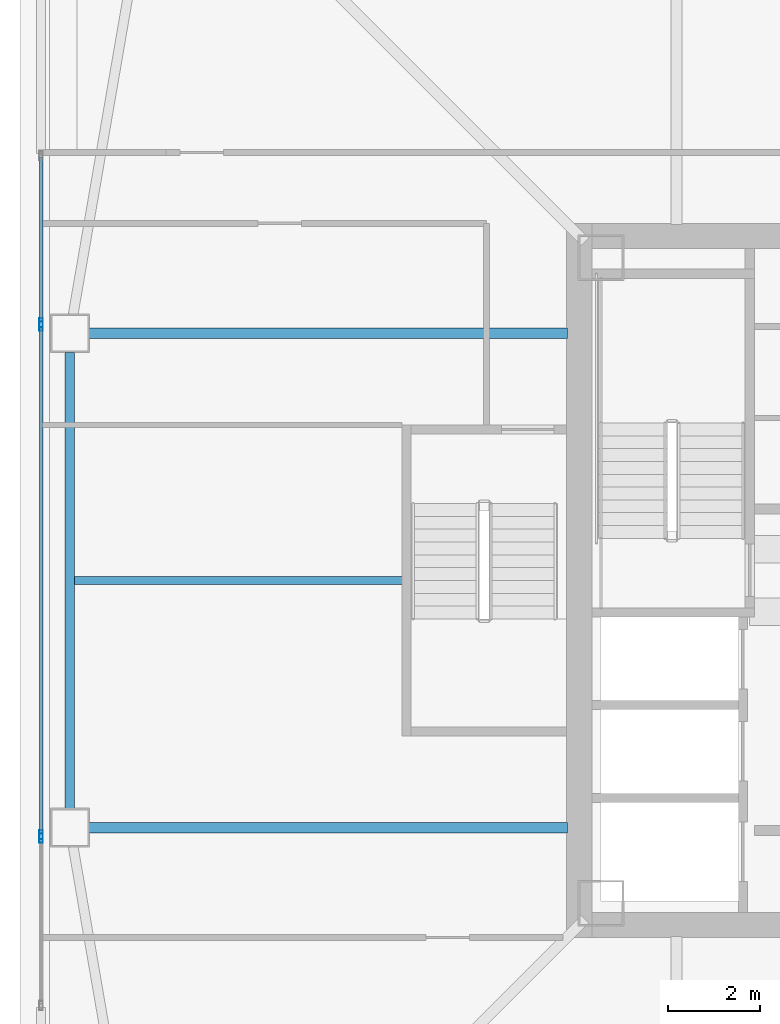
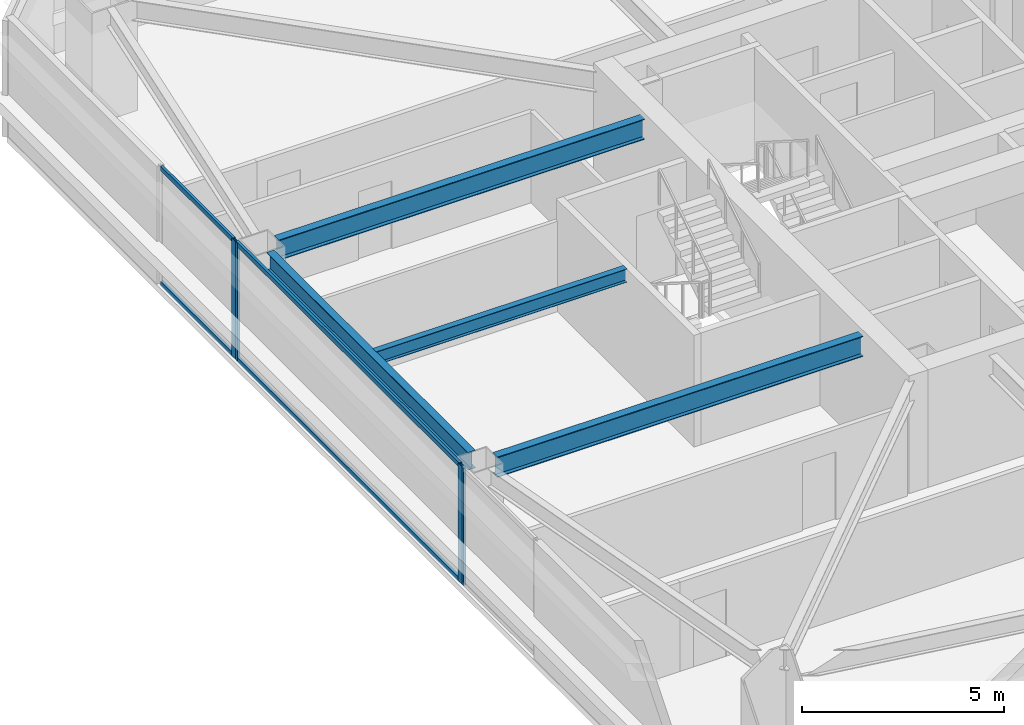
# One storey, part 8 of 40: 8 members, 4 beams, 3 elements without a shape of their own.
"""IFC4 building model written with IfcOpenShell, lengths in metres."""

from ifc_helpers import new_model, si_unit, direction, frame, origin, origin_2d, place, context, subcontext, project, spatial, hollow_rectangle, i_section, extrude, material, material_profile, profile_set, type_object, element, aggregate, save


model = new_model("IFC4")

# Units and contexts
model_context = context("Model", 3, precision=1e-05, world=origin(), true_north=direction((0.0, 1.0)))
body_context = subcontext(model_context, "Body", "Model", "MODEL_VIEW")
ifc_project = project(units=[si_unit("LENGTHUNIT", "METRE"), si_unit("AREAUNIT", "SQUARE_METRE"), si_unit("VOLUMEUNIT", "CUBIC_METRE"), si_unit("PLANEANGLEUNIT", "RADIAN"), si_unit("MASSUNIT", "GRAM", prefix="KILO")], contexts=[model_context])

# Site, building, storey
site_placement = place(None, origin())
site = spatial("IfcSite", under=ifc_project, at=site_placement, CompositionType="ELEMENT")
building_placement = place(site_placement, origin())
building = spatial("IfcBuilding", under=site, at=building_placement, Name="Tashvorn Skyway Center", CompositionType="ELEMENT")
storey_placement = place(building_placement, frame((0.0, 0.0, 142.800048828125)))
storey = spatial("IfcBuildingStorey", under=building, at=storey_placement, Name="L38", CompositionType="ELEMENT", Elevation=142.800048828125)

# Beams
ifc_material_1 = material(Name="Steel ASTM A992 Grade 50", Category="steel")
ifc_material_profile_1 = material_profile(ifc_material_1, i_section(OverallWidth=0.22998046875, OverallDepth=0.616943359375, WebThickness=0.01318359375, FlangeThickness=0.022216796875, at=origin_2d()), Name="W24X94")
ifc_profile_set_1 = profile_set([ifc_material_profile_1], Name="Steel ASTM A992 Grade 50")
beam_type_1 = type_object("IfcBeamType", Name="BM-BEAM-W24X94", PredefinedType="BEAM", material=ifc_profile_set_1)
for number, where, z_axis, x_axis, name in (
    (1, (23.77001953125, 37.39990234375, 3.0615234375), (1.0, 0.0, 0.0), (0.0, 1.0, 0.0), "Tower 1 L38 Primary Floor Girder FC-W1"),
    (2, (23.77001953125, 26.60009765625, 3.0615234375), (1.0, 0.0, 0.0), (0.0, 1.0, 0.0), "Tower 1 L38 Primary Floor Girder FC-W2"),
):
    element("IfcBeam", number, at=place(storey_placement, frame(where, z_axis=z_axis, x_axis=x_axis)), inside=storey, type_object=beam_type_1, Name=name, PredefinedType="BEAM", context=body_context, shape_type="SweptSolid", body=[
        extrude(i_section(OverallWidth=0.22998046875, OverallDepth=0.616943359375, WebThickness=0.01318359375, FlangeThickness=0.022216796875, at=origin_2d()), origin(), (0.0, 0.0, 1.0), 10.449951171875),
    ])
ifc_material_profile_2 = material_profile(ifc_material_1, i_section(OverallWidth=0.177978515625, OverallDepth=0.406005859375, WebThickness=0.0078125, FlangeThickness=0.0126953125, at=origin_2d()), Name="W16X40")
ifc_profile_set_2 = profile_set([ifc_material_profile_2], Name="Steel ASTM A992 Grade 50")
beam_type_2 = type_object("IfcBeamType", Name="BM-JOIST-W16X40", PredefinedType="JOIST", material=ifc_profile_set_2)
beam_1_placement = place(storey_placement, frame((30.610107421875, 32.0, 3.1669921875), z_axis=(-1.0, 0.0, 0.0), x_axis=(0.0, -1.0, 0.0)))
element("IfcBeam", 3, at=beam_1_placement, inside=storey, type_object=beam_type_2, Name="Tower 1 L38 Secondary Composite Joist JW", PredefinedType="JOIST", context=body_context, shape_type="SweptSolid", body=[
    extrude(i_section(OverallWidth=0.177978515625, OverallDepth=0.406005859375, WebThickness=0.0078125, FlangeThickness=0.0126953125, at=origin_2d()), origin(), (0.0, 0.0, 1.0), 7.16259765625),
])
ifc_material_profile_3 = material_profile(ifc_material_1, i_section(OverallWidth=0.2109375, OverallDepth=0.5390625, WebThickness=0.01171875, FlangeThickness=0.018798828125, at=origin_2d()), Name="W21X73")
ifc_profile_set_3 = profile_set([ifc_material_profile_3], Name="Steel ASTM A992 Grade 50")
beam_type_3 = type_object("IfcBeamType", Name="BM-SPANDREL-W21X73", PredefinedType="SPANDREL", material=ifc_profile_set_3)
beam_2_placement = place(storey_placement, frame((23.35009765625, 36.97998046875, 3.100341796875), z_axis=(0.0, -1.0, 0.0), x_axis=(1.0, 0.0, 0.0)))
element("IfcBeam", 4, at=beam_2_placement, inside=storey, type_object=beam_type_3, Name="Tower 1 L38 Spandrel Beam 11", PredefinedType="SPANDREL", context=body_context, shape_type="SweptSolid", body=[
    extrude(i_section(OverallWidth=0.2109375, OverallDepth=0.5390625, WebThickness=0.01171875, FlangeThickness=0.018798828125, at=origin_2d()), origin(), (0.0, 0.0, 1.0), 9.9599609375),
])

# Curtain wall, member
ifc_material_2 = material(Name="Thermally broken bronze-anodized aluminium 6063-T6", Category="aluminium")
curtain_wall_type = type_object("IfcCurtainWallType", Name="CW-CW-Z3", PredefinedType="NOTDEFINED", material=ifc_material_2)
curtain_wall_1_placement = place(storey_placement, origin())
curtain_wall_1 = element("IfcCurtainWall", 5, at=curtain_wall_1_placement, inside=storey, type_object=curtain_wall_type, Name="Tower 1 L38 West Unitised Curtain Wall Glazing Group 1", PredefinedType="NOTDEFINED")
ifc_material_profile_4 = material_profile(ifc_material_2, hollow_rectangle(XDim=0.074951171875, YDim=0.199951171875, WallThickness=0.00439453125, at=origin_2d()), Name="ALU-MULL-75x200")
ifc_profile_set_4 = profile_set([ifc_material_profile_4], Name="Thermally broken bronze-anodized aluminium 6063-T6")
member_type_1 = type_object("IfcMemberType", Name="CWM-CW-Z3", PredefinedType="MULLION", material=ifc_profile_set_4)
member_1_placement = place(storey_placement, frame((22.719970703125, 26.369140625, 0.0), z_axis=(0.0, 0.0, 1.0), x_axis=(-1.0, 0.0, 0.0)))
member_1 = element("IfcMember", 6, at=member_1_placement, type_object=member_type_1, Name="CW-Z3 mullion 2", PredefinedType="MULLION", context=body_context, shape_type="SweptSolid", body=[
    extrude(hollow_rectangle(XDim=0.074951171875, YDim=0.199951171875, WallThickness=0.00439453125, at=origin_2d()), origin(), (0.0, 0.0, 1.0), 3.550048828125),
])
aggregate(curtain_wall_1, [member_1])

# Curtain wall, members
curtain_wall_2_placement = place(storey_placement, origin())
curtain_wall_2 = element("IfcCurtainWall", 7, at=curtain_wall_2_placement, inside=storey, type_object=curtain_wall_type, Name="Tower 1 L38 West Unitised Curtain Wall Glazing Group 2", PredefinedType="NOTDEFINED")
member_2_placement = place(storey_placement, frame((22.719970703125, 26.444091796875, 0.0), z_axis=(0.0, 0.0, 1.0), x_axis=(-1.0, 0.0, 0.0)))
member_2 = element("IfcMember", 8, at=member_2_placement, type_object=member_type_1, Name="CW-Z3 mullion 1", PredefinedType="MULLION", context=body_context, shape_type="SweptSolid", body=[
    extrude(hollow_rectangle(XDim=0.074951171875, YDim=0.199951171875, WallThickness=0.00439453125, at=origin_2d()), origin(), (0.0, 0.0, 1.0), 3.550048828125),
])
member_3_placement = place(storey_placement, frame((22.719970703125, 37.555908203125, 0.0), z_axis=(0.0, 0.0, 1.0), x_axis=(-1.0, 0.0, 0.0)))
member_3 = element("IfcMember", 9, at=member_3_placement, type_object=member_type_1, Name="CW-Z3 mullion 2", PredefinedType="MULLION", context=body_context, shape_type="SweptSolid", body=[
    extrude(hollow_rectangle(XDim=0.074951171875, YDim=0.199951171875, WallThickness=0.00439453125, at=origin_2d()), origin(), (0.0, 0.0, 1.0), 3.550048828125),
])

# Curtain wall, member
curtain_wall_3_placement = place(storey_placement, origin())
curtain_wall_3 = element("IfcCurtainWall", 10, at=curtain_wall_3_placement, inside=storey, type_object=curtain_wall_type, Name="Tower 1 L38 West Unitised Curtain Wall Glazing Group 3", PredefinedType="NOTDEFINED")
member_4_placement = place(storey_placement, frame((22.719970703125, 37.630859375, 0.0), z_axis=(0.0, 0.0, 1.0), x_axis=(-1.0, 0.0, 0.0)))
member_4 = element("IfcMember", 11, at=member_4_placement, type_object=member_type_1, Name="CW-Z3 mullion 1", PredefinedType="MULLION", context=body_context, shape_type="SweptSolid", body=[
    extrude(hollow_rectangle(XDim=0.074951171875, YDim=0.199951171875, WallThickness=0.00439453125, at=origin_2d()), origin(), (0.0, 0.0, 1.0), 3.550048828125),
])

# Member
ifc_material_profile_5 = material_profile(ifc_material_2, hollow_rectangle(XDim=0.074951171875, YDim=0.139892578125, WallThickness=0.004150390625, at=origin_2d()), Name="ALU-TRAN-75x140")
ifc_profile_set_5 = profile_set([ifc_material_profile_5], Name="Thermally broken bronze-anodized aluminium 6063-T6")
member_type_2 = type_object("IfcMemberType", Name="CWT-CW-Z3", PredefinedType="USERDEFINED", material=ifc_profile_set_5)
member_5_placement = place(storey_placement, frame((22.719970703125, 26.481689453125, 0.037353515625), z_axis=(0.0, 1.0, 0.0), x_axis=(-1.0, 0.0, 0.0)))
member_5 = element("IfcMember", 12, at=member_5_placement, type_object=member_type_2, Name="CW-Z3 transom 1.1", ObjectType="TRANSOM", PredefinedType="USERDEFINED", context=body_context, shape_type="SweptSolid", body=[
    extrude(hollow_rectangle(XDim=0.074951171875, YDim=0.139892578125, WallThickness=0.004150390625, at=origin_2d()), origin(), (0.0, 0.0, 1.0), 11.03662109375),
])

member_6_placement = place(storey_placement, frame((22.719970703125, 26.481689453125, 3.512451171875), z_axis=(0.0, 1.0, 0.0), x_axis=(-1.0, 0.0, 0.0)))
member_6 = element("IfcMember", 13, at=member_6_placement, type_object=member_type_2, Name="CW-Z3 transom 1.2", ObjectType="TRANSOM", PredefinedType="USERDEFINED", context=body_context, shape_type="SweptSolid", body=[
    extrude(hollow_rectangle(XDim=0.074951171875, YDim=0.139892578125, WallThickness=0.004150390625, at=origin_2d()), origin(), (0.0, 0.0, 1.0), 11.03662109375),
])

aggregate(curtain_wall_2, [member_2, member_3, member_5, member_6])

member_7_placement = place(storey_placement, frame((22.719970703125, 37.668212890625, 0.037353515625), z_axis=(0.0, 1.0, 0.0), x_axis=(-1.0, 0.0, 0.0)))
member_7 = element("IfcMember", 14, at=member_7_placement, type_object=member_type_2, Name="CW-Z3 transom 1.1", ObjectType="TRANSOM", PredefinedType="USERDEFINED", context=body_context, shape_type="SweptSolid", body=[
    extrude(hollow_rectangle(XDim=0.074951171875, YDim=0.139892578125, WallThickness=0.004150390625, at=origin_2d()), origin(), (0.0, 0.0, 1.0), 3.5791015625),
])

member_8_placement = place(storey_placement, frame((22.719970703125, 37.668212890625, 3.512451171875), z_axis=(0.0, 1.0, 0.0), x_axis=(-1.0, 0.0, 0.0)))
member_8 = element("IfcMember", 15, at=member_8_placement, type_object=member_type_2, Name="CW-Z3 transom 1.2", ObjectType="TRANSOM", PredefinedType="USERDEFINED", context=body_context, shape_type="SweptSolid", body=[
    extrude(hollow_rectangle(XDim=0.074951171875, YDim=0.139892578125, WallThickness=0.004150390625, at=origin_2d()), origin(), (0.0, 0.0, 1.0), 3.5791015625),
])

aggregate(curtain_wall_3, [member_4, member_7, member_8])

save(model, "model.ifc")
